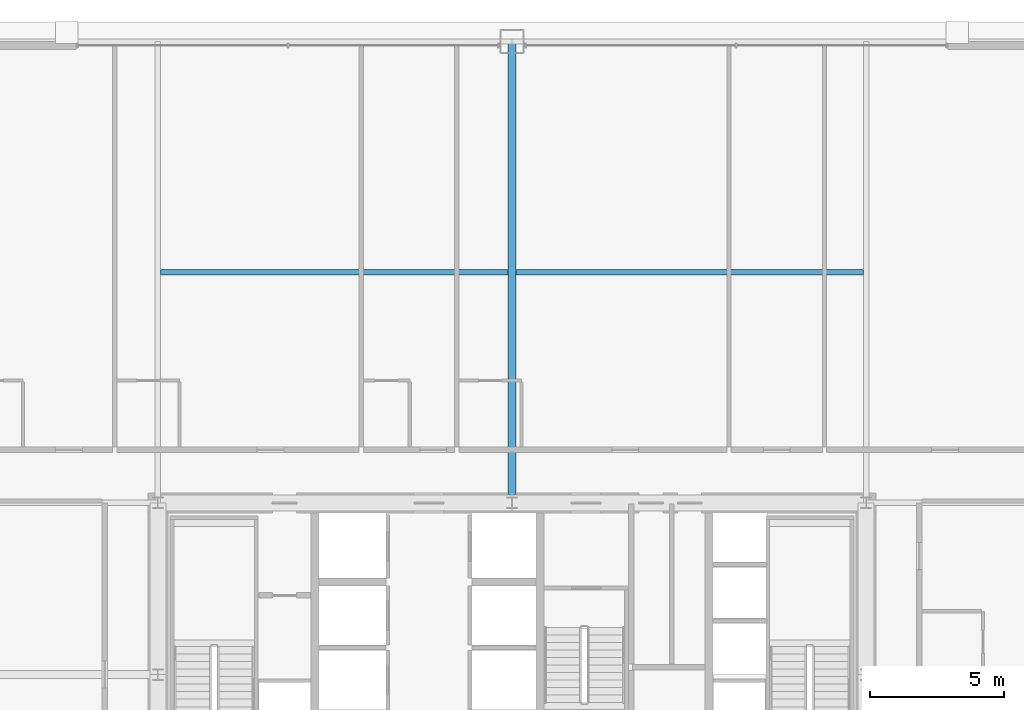
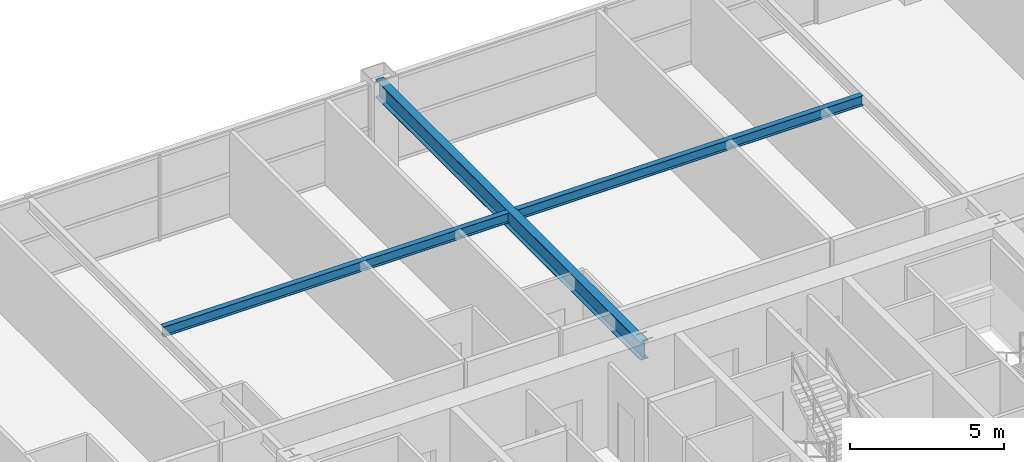
# One storey, part 25 of 38: 3 beams.
"""IFC4 building model written with IfcOpenShell, lengths in metres."""

from ifc_helpers import new_model, si_unit, direction, frame, origin, origin_2d, place, context, subcontext, project, spatial, i_section, extrude, source, transform, mapped, material, material_profile, profile_set, type_object, element, save


model = new_model("IFC4")

# Units and contexts
model_context = context("Model", 3, precision=1e-05, world=origin(), true_north=direction((0.0, 1.0)))
body_context = subcontext(model_context, "Body", "Model", "MODEL_VIEW")
ifc_project = project(units=[si_unit("LENGTHUNIT", "METRE"), si_unit("AREAUNIT", "SQUARE_METRE"), si_unit("VOLUMEUNIT", "CUBIC_METRE"), si_unit("PLANEANGLEUNIT", "RADIAN"), si_unit("MASSUNIT", "GRAM", prefix="KILO"), si_unit("THERMODYNAMICTEMPERATUREUNIT", "KELVIN"), si_unit("POWERUNIT", "WATT")], contexts=[model_context])

# Site, building, storey
site_placement = place(None, origin())
site = spatial("IfcSite", under=ifc_project, at=site_placement, CompositionType="ELEMENT")
building_placement = place(site_placement, origin())
building = spatial("IfcBuilding", under=site, at=building_placement, Name="Yuzanri Waterfront Tower", CompositionType="ELEMENT")
storey_placement = place(building_placement, frame((0.0, 0.0, 111.800048828125)))
storey = spatial("IfcBuildingStorey", under=building, at=storey_placement, Name="L29", CompositionType="ELEMENT", Elevation=111.800048828125)

# Beams
ifc_material_1 = material(Name="Steel Q355B", Category="steel")
ifc_material_profile_1 = material_profile(ifc_material_1, i_section(OverallWidth=0.199951171875, OverallDepth=0.39990234375, WebThickness=0.008056640625, FlangeThickness=0.012939453125, at=origin_2d()), Name="HN 400x200x8x13")
ifc_profile_set_1 = profile_set([ifc_material_profile_1], Name="Steel Q355B")
beam_type_1 = type_object("IfcBeamType", Name="Floor Joist Q355B HN 400x200", PredefinedType="JOIST", material=ifc_profile_set_1)
shared_shape_1 = source(origin(), body_context, "Body", "SweptSolid", [
    extrude(i_section(OverallWidth=0.199951171875, OverallDepth=0.39990234375, WebThickness=0.008056640625, FlangeThickness=0.012939453125, at=origin_2d()), origin(), (0.0, 0.0, 1.0), 12.9501953125),
])
for number, where, z_axis, x_axis, name in (
    (1, (23.89990234375, 40.800048828125, 3.179931640625), (1.0, 0.0, 0.0), (0.0, 1.0, 0.0), "L29 North Bay Joist W"),
    (2, (37.14990234375, 40.800048828125, 3.179931640625), (1.0, 0.0, 0.0), (0.0, 1.0, 0.0), "L29 North Bay Joist E"),
):
    element("IfcBeam", number, at=place(storey_placement, frame(where, z_axis=z_axis, x_axis=x_axis)), inside=storey, type_object=beam_type_1, Name=name, PredefinedType="JOIST", context=body_context, shape_type="MappedRepresentation", body=[
        mapped(shared_shape_1, transform((0.0, 0.0, 0.0), scale=1.0)),
    ])
ifc_material_2 = material(Name="Steel Q355B", Category="steel")
ifc_material_profile_2 = material_profile(ifc_material_2, i_section(OverallWidth=0.300048828125, OverallDepth=0.699951171875, WebThickness=0.012939453125, FlangeThickness=0.02392578125, at=origin_2d()), Name="HN 700x300x13x24")
ifc_profile_set_2 = profile_set([ifc_material_profile_2], Name="Steel Q355B")
beam_type_2 = type_object("IfcBeamType", Name="Primary Floor Girder Q355B HN 700x300", PredefinedType="BEAM", material=ifc_profile_set_2)
shared_shape_2 = source(origin(), body_context, "Body", "SweptSolid", [
    extrude(i_section(OverallWidth=0.300048828125, OverallDepth=0.699951171875, WebThickness=0.012939453125, FlangeThickness=0.02392578125, at=origin_2d()), origin(), (0.0, 0.0, 1.0), 17.199951171875),
])
beam_placement = place(storey_placement, frame((37.0, 32.199951171875, 3.030029296875), z_axis=(0.0, 1.0, 0.0), x_axis=(-1.0, 0.0, 0.0)))
element("IfcBeam", 3, at=beam_placement, inside=storey, type_object=beam_type_2, Name="L29 North Grid Girder", PredefinedType="BEAM", context=body_context, shape_type="MappedRepresentation", body=[
    mapped(shared_shape_2, transform((0.0, 0.0, 0.0), scale=1.0)),
])

save(model, "model.ifc")
